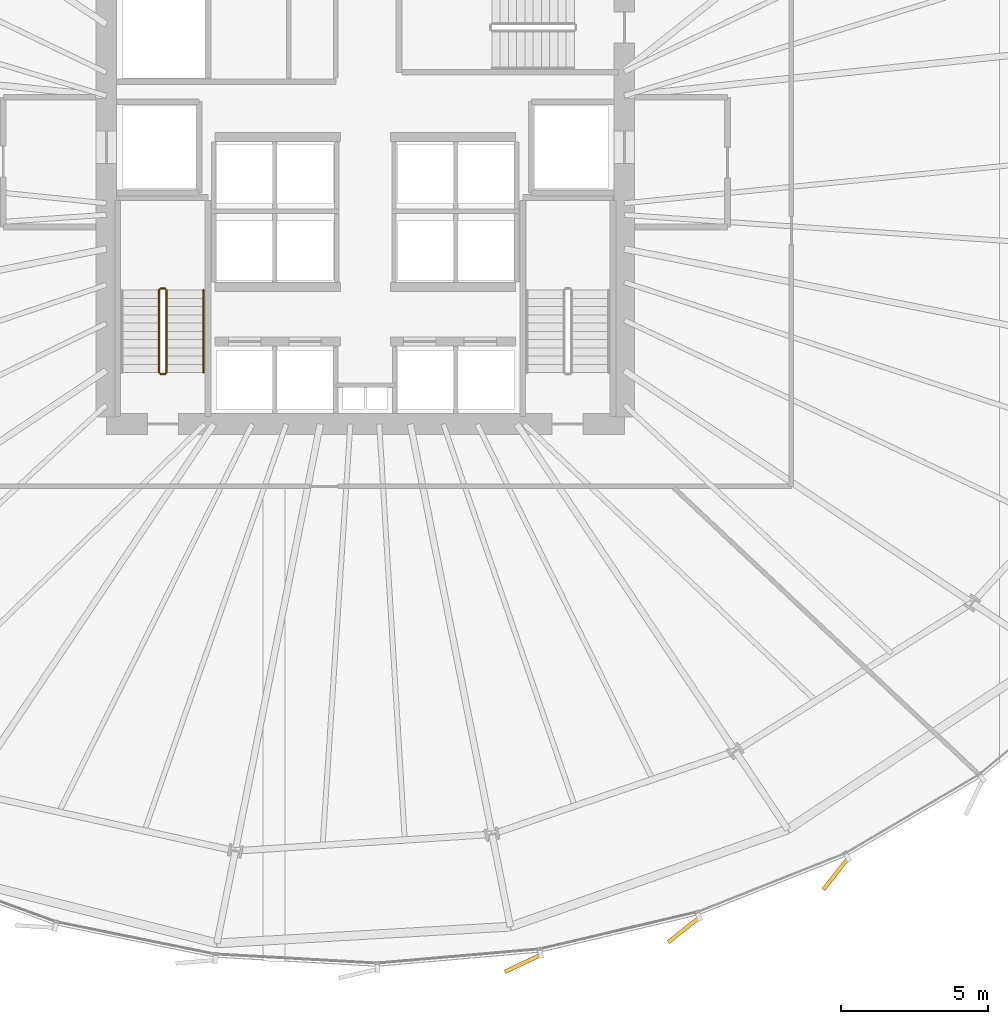
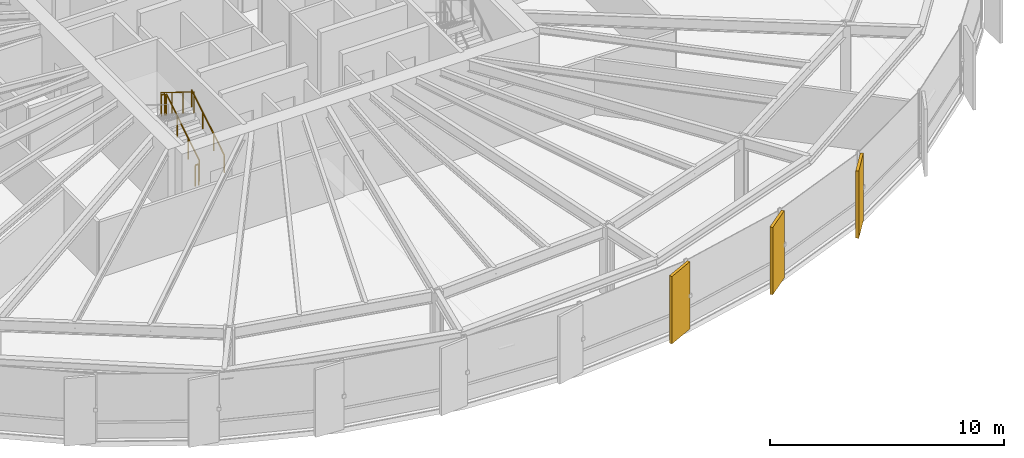
# One storey, part 35 of 39: 5 railings, 3 coverings.
"""IFC4 building model written with IfcOpenShell, lengths in metres."""

from ifc_helpers import new_model, si_unit, direction, frame, origin, origin_2d, place, context, subcontext, project, spatial, rectangle, circle, extrude, source, transform, mapped, material, layer, layer_set, type_object, element, save


model = new_model("IFC4")

# Units and contexts
model_context = context("Model", 3, precision=1e-05, world=origin(), true_north=direction((0.0, 1.0)))
body_context = subcontext(model_context, "Body", "Model", "MODEL_VIEW")
ifc_project = project(units=[si_unit("LENGTHUNIT", "METRE"), si_unit("AREAUNIT", "SQUARE_METRE"), si_unit("VOLUMEUNIT", "CUBIC_METRE"), si_unit("PLANEANGLEUNIT", "RADIAN"), si_unit("MASSUNIT", "GRAM", prefix="KILO"), si_unit("THERMODYNAMICTEMPERATUREUNIT", "KELVIN")], contexts=[model_context])

# Site, building, storey
site_placement = place(None, origin())
site = spatial("IfcSite", under=ifc_project, at=site_placement, CompositionType="ELEMENT")
building_placement = place(site_placement, origin())
building = spatial("IfcBuilding", under=site, at=building_placement, Name="Kethvar Cultural Tower", CompositionType="ELEMENT")
storey_placement = place(building_placement, frame((0.0, 0.0, 33.39990234375)))
storey = spatial("IfcBuildingStorey", under=building, at=storey_placement, Name="L07", CompositionType="ELEMENT", Elevation=33.39990234375)

# Railings
ifc_material_1 = material(Name="Steel S355J2", Category="steel")
railing_type_1 = type_object("IfcRailingType", Name="RL-STAIR-GUARD", PredefinedType="BALUSTRADE", material=ifc_material_1)
railing_1_placement = place(storey_placement, frame((40.050048828125, 21.85009765625, 0.1728515625)))
element("IfcRailing", 1, at=railing_1_placement, inside=storey, type_object=railing_type_1, Name="L07 ST-01 stair guard 1", PredefinedType="BALUSTRADE", context=body_context, shape_type="SweptSolid", body=[
    extrude(circle(Radius=0.02392578125, at=origin_2d()), frame((0.0, 0.0, 1.09619140625), z_axis=(0.0, 0.851069175582, 0.525053576669), x_axis=(-1.0, 0.0, 0.0)), (0.0, 0.0, 1.0), 3.289794921875),
    extrude(circle(Radius=0.02099609375, at=origin_2d()), origin(), (0.0, 0.0, 1.0), 1.072021484375),
    extrude(circle(Radius=0.02099609375, at=origin_2d()), frame((0.0, 0.933349609375, 0.57568359375)), (0.0, 0.0, 1.0), 1.072021484375),
    extrude(circle(Radius=0.02099609375, at=origin_2d()), frame((0.0, 1.866455078125, 1.151611328125)), (0.0, 0.0, 1.0), 1.072021484375),
    extrude(circle(Radius=0.02099609375, at=origin_2d()), frame((0.0, 2.7998046875, 1.727294921875)), (0.0, 0.0, 1.0), 1.072021484375),
])
railing_2_placement = place(storey_placement, frame((40.0, 24.699951171875, 1.900146484375)))
element("IfcRailing", 2, at=railing_2_placement, inside=storey, type_object=railing_type_1, Name="L07 ST-01 stair guard 2", PredefinedType="BALUSTRADE", context=body_context, shape_type="SweptSolid", body=[
    extrude(circle(Radius=0.02392578125, at=origin_2d()), frame((0.0, 0.0, 1.09619140625), z_axis=(-1.0, 0.0, 0.0), x_axis=(0.0, -1.0, 0.0)), (0.0, 0.0, 1.0), 0.159912109375),
    extrude(circle(Radius=0.02099609375, at=origin_2d()), origin(), (0.0, 0.0, 1.0), 1.072021484375),
    extrude(circle(Radius=0.02099609375, at=origin_2d()), frame((-0.159912109375, 0.0, 0.0)), (0.0, 0.0, 1.0), 1.072021484375),
])
railing_3_placement = place(storey_placement, frame((39.7900390625, 24.64990234375, 2.07275390625)))
element("IfcRailing", 3, at=railing_3_placement, inside=storey, type_object=railing_type_1, Name="L07 ST-01 stair guard 3", PredefinedType="BALUSTRADE", context=body_context, shape_type="SweptSolid", body=[
    extrude(circle(Radius=0.02392578125, at=origin_2d()), frame((0.0, 0.0, 1.09619140625), z_axis=(0.0, -0.851069175582, 0.525053576669), x_axis=(1.0, 0.0, 0.0)), (0.0, 0.0, 1.0), 3.289794921875),
    extrude(circle(Radius=0.02099609375, at=origin_2d()), origin(), (0.0, 0.0, 1.0), 1.072021484375),
    extrude(circle(Radius=0.02099609375, at=origin_2d()), frame((0.0, -0.933349609375, 0.57568359375)), (0.0, 0.0, 1.0), 1.072021484375),
    extrude(circle(Radius=0.02099609375, at=origin_2d()), frame((0.0, -1.866455078125, 1.151611328125)), (0.0, 0.0, 1.0), 1.072021484375),
    extrude(circle(Radius=0.02099609375, at=origin_2d()), frame((0.0, -2.7998046875, 1.727294921875)), (0.0, 0.0, 1.0), 1.072021484375),
])
railing_4_placement = place(storey_placement, frame((40.0, 21.800048828125, 0.0)))
element("IfcRailing", 4, at=railing_4_placement, inside=storey, type_object=railing_type_1, Name="L07 ST-01 stair guard 4", PredefinedType="BALUSTRADE", context=body_context, shape_type="SweptSolid", body=[
    extrude(circle(Radius=0.02392578125, at=origin_2d()), frame((0.0, 0.0, 1.09619140625), z_axis=(-1.0, 0.0, 0.0), x_axis=(0.0, -1.0, 0.0)), (0.0, 0.0, 1.0), 0.159912109375),
    extrude(circle(Radius=0.02099609375, at=origin_2d()), origin(), (0.0, 0.0, 1.0), 1.072021484375),
    extrude(circle(Radius=0.02099609375, at=origin_2d()), frame((-0.159912109375, 0.0, 0.0)), (0.0, 0.0, 1.0), 1.072021484375),
])
railing_type_2 = type_object("IfcRailingType", Name="RL-STAIR-HANDRAIL", PredefinedType="HANDRAIL", material=ifc_material_1)
railing_5_placement = place(storey_placement, frame((41.300048828125, 21.85009765625, 0.1728515625)))
element("IfcRailing", 5, at=railing_5_placement, inside=storey, type_object=railing_type_2, Name="L07 ST-01 stair handrail 1", PredefinedType="HANDRAIL", context=body_context, shape_type="SweptSolid", body=[
    extrude(circle(Radius=0.02392578125, at=origin_2d()), frame((0.0, 0.0, 0.8759765625), z_axis=(0.0, 0.851069175582, 0.525053576669), x_axis=(-1.0, 0.0, 0.0)), (0.0, 0.0, 1.0), 3.289794921875),
    extrude(circle(Radius=0.02099609375, at=origin_2d()), origin(), (0.0, 0.0, 1.0), 0.851806640625),
    extrude(circle(Radius=0.02099609375, at=origin_2d()), frame((0.0, 0.933349609375, 0.57568359375)), (0.0, 0.0, 1.0), 0.851806640625),
    extrude(circle(Radius=0.02099609375, at=origin_2d()), frame((0.0, 1.866455078125, 1.151611328125)), (0.0, 0.0, 1.0), 0.851806640625),
    extrude(circle(Radius=0.02099609375, at=origin_2d()), frame((0.0, 2.7998046875, 1.727294921875)), (0.0, 0.0, 1.0), 0.851806640625),
])

# Coverings
ifc_material_2 = material(Name="Extruded Architectural Terracotta", Category="masonry")
ifc_layer = layer(ifc_material_2, 0.135009765625, Name="Extruded Architectural Terracotta", Category="masonry")
ifc_layer_set = layer_set([ifc_layer], Name="Extruded Architectural Terracotta (135 mm)")
covering_type = type_object("IfcCoveringType", Name="Terracotta Facade Fin FIN-01", PredefinedType="CLADDING", material=ifc_layer_set)
shared_shape = source(origin(), body_context, "Body", "SweptSolid", [
    extrude(rectangle(XDim=1.35009765625, YDim=0.135009765625, at=origin_2d()), origin(), (0.0, 0.0, 1.0), 3.510009765625),
])
for number, where, z_axis, x_axis, name in (
    (6, (52.15380859375, 1.779052734375, 0.02001953125), (0.0, 0.0, 1.0), (-0.903559758936, -0.428462089374, 0.0), "L07 Vertical Terracotta Fin 6.3"),
    (7, (57.6162109375, 2.91552734375, 0.02001953125), (0.0, 0.0, 1.0), (-0.782716794233, -0.622378036266, 0.0), "L07 Vertical Terracotta Fin 6.4"),
    (8, (62.781494140625, 4.81689453125, 0.02001953125), (0.0, 0.0, 1.0), (-0.620463642292, -0.784235212544, 0.0), "L07 Vertical Terracotta Fin 6.5"),
):
    element("IfcCovering", number, at=place(storey_placement, frame(where, z_axis=z_axis, x_axis=x_axis)), inside=storey, type_object=covering_type, Name=name, PredefinedType="CLADDING", context=body_context, shape_type="MappedRepresentation", body=[
        mapped(shared_shape, transform((0.0, 0.0, 0.0), scale=1.0)),
    ])

save(model, "model.ifc")
